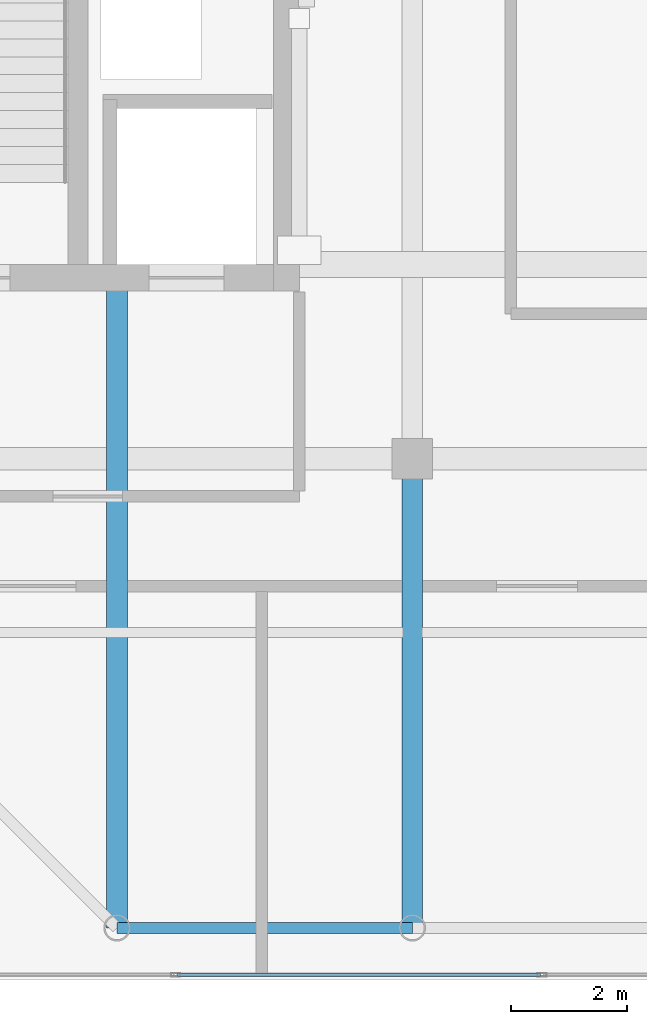
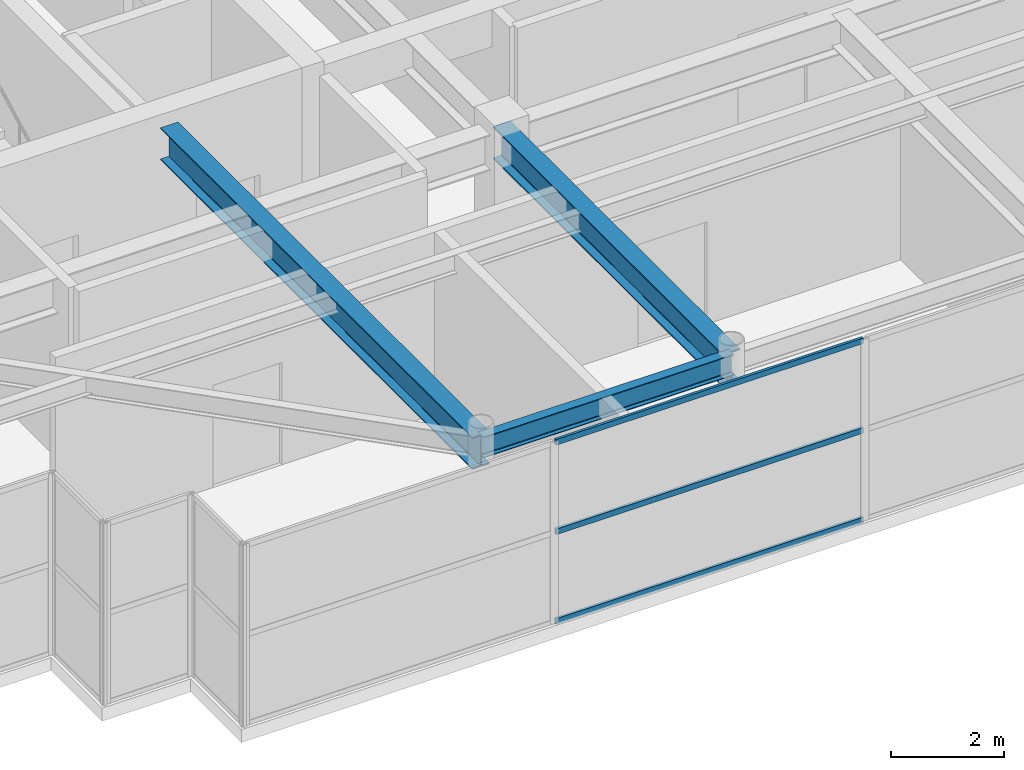
# One storey, part 4 of 32: 3 beams, 3 members, 1 element without a shape of its own.
"""IFC4 building model written with IfcOpenShell, lengths in metres."""

import ifcopenshell
import ifcopenshell.guid

model = None  # the IFC model being written
_history = None  # IfcOwnerHistory: only IFC2X3 demands one
_inside = {}  # id of a spatial element -> (the spatial element, [elements in it])
_under = {}  # id of a project, library or spatial element -> (it, [spatial elements below it])
_declared = {}  # id of a project -> (the project, [libraries it declares])
_typed = {}  # id of a type object -> (the type object, [elements of that type])
_made_of = {}  # id of a material, layer set ... -> (it, [elements and type objects made of it])


def new_model(schema):
    """Start an empty IFC model of exactly this schema.

    Asked for "IFC4X3", IfcOpenShell would pick the latest addendum, in which some entities
    have other attributes; the version numbers below select the first issue.
    IFC2X3 requires an IfcOwnerHistory on every rooted entity: one is made here for all.
    """
    global model, _history
    if schema == "IFC4X3":
        model = ifcopenshell.file(schema_version=(4, 3, 0, 0))
    else:
        model = ifcopenshell.file(schema=schema)
    _inside.clear()
    _under.clear()
    _declared.clear()
    _typed.clear()
    _made_of.clear()
    _history = None
    if model.schema == "IFC2X3":
        org = make("IfcOrganization", Name="unknown")
        user = make(
            "IfcPersonAndOrganization",
            ThePerson=make("IfcPerson", FamilyName="unknown"),
            TheOrganization=org,
        )
        app = make(
            "IfcApplication",
            ApplicationDeveloper=org,
            Version="unknown",
            ApplicationFullName="unknown",
            ApplicationIdentifier="unknown",
        )
        _history = make(
            "IfcOwnerHistory",
            OwningUser=user,
            OwningApplication=app,
            ChangeAction="ADDED",
            CreationDate=0,
        )
    return model


def make(cls, **values):
    """One entity of the class cls with the attributes given. An attribute that is None is left unset."""
    return model.create_entity(
        cls, **{name: value for name, value in values.items() if value is not None}
    )


def rooted(cls, **values):
    """An entity with a GlobalId (a new one), such as an element, a storey or a relation."""
    return make(cls, GlobalId=ifcopenshell.guid.new(), OwnerHistory=_history, **values)


def si_unit(unit_type, name, prefix=None):
    """IfcSIUnit, for example si_unit("LENGTHUNIT", "METRE", prefix="MILLI")."""
    return make("IfcSIUnit", UnitType=unit_type, Prefix=prefix, Name=name)


def assignment(units):
    """IfcUnitAssignment: the units of a project."""
    return None if units is None else make("IfcUnitAssignment", Units=units)


def point(xyz):
    """IfcCartesianPoint."""
    return None if xyz is None else make("IfcCartesianPoint", Coordinates=xyz)


def direction(xyz):
    """IfcDirection."""
    return None if xyz is None else make("IfcDirection", DirectionRatios=xyz)


def frame(location, z_axis=None, x_axis=None):
    """IfcAxis2Placement3D, a coordinate frame: its origin and axes. An axis left out is left unset."""
    return make(
        "IfcAxis2Placement3D",
        Location=point(location),
        Axis=direction(z_axis),
        RefDirection=direction(x_axis),
    )


def frame_2d(location, x_axis=None):
    """IfcAxis2Placement2D, a coordinate frame in the plane: its origin and x axis."""
    return make(
        "IfcAxis2Placement2D", Location=point(location), RefDirection=direction(x_axis)
    )


def origin():
    """The frame at (0, 0, 0) with its axes left unset."""
    return frame((0.0, 0.0, 0.0))


def origin_2d():
    """The frame at (0, 0) in the plane with its x axis left unset."""
    return frame_2d((0.0, 0.0))


def place(relative_to, where):
    """IfcLocalPlacement: puts the frame where relative to a parent placement (None: the world)."""
    return make(
        "IfcLocalPlacement", PlacementRelTo=relative_to, RelativePlacement=where
    )


def context(
    kind, dimensions, precision=None, world=None, true_north=None, identifier=None
):
    """IfcGeometricRepresentationContext, for example the 3D "Model" context."""
    return make(
        "IfcGeometricRepresentationContext",
        ContextIdentifier=identifier,
        ContextType=kind,
        CoordinateSpaceDimension=dimensions,
        Precision=precision,
        WorldCoordinateSystem=world,
        TrueNorth=true_north,
    )


def subcontext(parent, identifier, kind, view, scale=None):
    """IfcGeometricRepresentationSubContext, for example "Body" below "Model"."""
    return make(
        "IfcGeometricRepresentationSubContext",
        ContextIdentifier=identifier,
        ContextType=kind,
        ParentContext=parent,
        TargetScale=scale,
        TargetView=view,
    )


def project(units=None, contexts=None):
    """IfcProject with its units and contexts."""
    return rooted(
        "IfcProject",
        Name="project",
        RepresentationContexts=contexts,
        UnitsInContext=assignment(units),
    )


def spatial(cls, under=None, at=None, **own):
    """A site, building, storey or space (cls), placed at a placement, below another one or the project."""
    s = rooted(cls, ObjectPlacement=at, **own)
    if under is not None:
        _under.setdefault(under.id(), (under, []))[1].append(s)
    return s


def profile(cls, at=None, kind="AREA", **sizes):
    """A parametric profile (cls). Its sizes go by their IFC names, for example OverallWidth=200.0."""
    return make(cls, ProfileType=kind, Position=at, **sizes)


def hollow_rectangle(**sizes):
    """IfcRectangleHollowProfileDef."""
    return profile("IfcRectangleHollowProfileDef", **sizes)


def i_section(**sizes):
    """IfcIShapeProfileDef."""
    return profile("IfcIShapeProfileDef", **sizes)


def extrude(swept, where, along, depth):
    """IfcExtrudedAreaSolid: the profile swept, set in the frame where, extruded along a direction by depth."""
    return make(
        "IfcExtrudedAreaSolid",
        SweptArea=swept,
        Position=where,
        ExtrudedDirection=direction(along),
        Depth=depth,
    )


def shape(context_of_items, identifier, shape_type, items):
    """IfcShapeRepresentation: the items that make up one representation, for example the "Body"."""
    return make(
        "IfcShapeRepresentation",
        ContextOfItems=context_of_items,
        RepresentationIdentifier=identifier,
        RepresentationType=shape_type,
        Items=items,
    )


def source(mapping_origin, context_of_items, identifier, shape_type, items):
    """IfcRepresentationMap: a shape defined once, which mapped items show again and again."""
    return make(
        "IfcRepresentationMap",
        MappingOrigin=mapping_origin,
        MappedRepresentation=shape(context_of_items, identifier, shape_type, items),
    )


def transform(
    local_origin,
    x_axis=None,
    y_axis=None,
    z_axis=None,
    scale=None,
    scale2=None,
    scale3=None,
    uniform=True,
):
    """IfcCartesianTransformationOperator3D, or its non-uniform kind. x_axis, y_axis, z_axis: its Axis1, 2, 3."""
    if uniform:
        return make(
            "IfcCartesianTransformationOperator3D",
            Axis1=direction(x_axis),
            Axis2=direction(y_axis),
            LocalOrigin=point(local_origin),
            Scale=scale,
            Axis3=direction(z_axis),
        )
    return make(
        "IfcCartesianTransformationOperator3DnonUniform",
        Axis1=direction(x_axis),
        Axis2=direction(y_axis),
        LocalOrigin=point(local_origin),
        Scale=scale,
        Axis3=direction(z_axis),
        Scale2=scale2,
        Scale3=scale3,
    )


def mapped(mapping_source, mapping_target):
    """IfcMappedItem: shows the shape of a source again, moved by a transform."""
    return make(
        "IfcMappedItem", MappingSource=mapping_source, MappingTarget=mapping_target
    )


def material(Name=None, Category=None):
    """IfcMaterial."""
    return make("IfcMaterial", Name=Name, Category=Category)


def layer(
    of_material, thickness, ventilated=None, Name=None, Category=None, Priority=None
):
    """IfcMaterialLayer: one layer of a wall or slab, of a material (None: an air gap)."""
    return make(
        "IfcMaterialLayer",
        Material=of_material,
        LayerThickness=thickness,
        IsVentilated=ventilated,
        Name=Name,
        Category=Category,
        Priority=Priority,
    )


def layer_set(layers, Name=None):
    """IfcMaterialLayerSet."""
    return make("IfcMaterialLayerSet", MaterialLayers=layers, LayerSetName=Name)


def material_profile(
    of_material, cross_section, Name=None, Category=None, Priority=None
):
    """IfcMaterialProfile: a cross section and its material."""
    return make(
        "IfcMaterialProfile",
        Name=Name,
        Material=of_material,
        Profile=cross_section,
        Priority=Priority,
        Category=Category,
    )


def profile_set(profiles, Name=None, composite=None):
    """IfcMaterialProfileSet."""
    return make(
        "IfcMaterialProfileSet",
        Name=Name,
        MaterialProfiles=profiles,
        CompositeProfile=composite,
    )


def made_of(thing, what):
    """Note that an element or type object is made of a material, layer set ...; save() writes the relation."""
    if what is not None:
        _made_of.setdefault(what.id(), (what, []))[1].append(thing)
    return thing


def type_object(cls, material=None, **own):
    """A type object (cls), such as IfcWallType, which elements share."""
    return made_of(rooted(cls, **own), material)


def element(
    cls,
    number,
    at=None,
    inside=None,
    cuts=None,
    type_object=None,
    material=None,
    context=None,
    identifier="Body",
    shape_type=None,
    held_by="IfcProductDefinitionShape",
    body=None,
    shapes=None,
    **own,
):
    """One element of the class cls, such as IfcWall. Its Tag is "e" and its number.

    at: its placement. inside: the storey or other place that contains it. cuts: it is an
    opening in that element (IfcRelVoidsElement). A single representation is given by context,
    identifier, shape_type and body (its items); several are given by shapes. held_by: the class
    of the entity that holds the representations. save() writes the other relations.
    """
    e = rooted(cls, Tag="e%d" % number, ObjectPlacement=at, **own)
    if body is not None:
        shapes = [shape(context, identifier, shape_type, body)]
    if shapes is not None:
        e.Representation = make(held_by, Representations=shapes)
    if inside is not None:
        _inside.setdefault(inside.id(), (inside, []))[1].append(e)
    if cuts is not None:
        rooted(
            "IfcRelVoidsElement", RelatingBuildingElement=cuts, RelatedOpeningElement=e
        )
    if type_object is not None:
        _typed.setdefault(type_object.id(), (type_object, []))[1].append(e)
    return made_of(e, material)


def aggregate(whole, parts):
    """IfcRelAggregates: a whole, such as a stair, and the parts it consists of."""
    return rooted("IfcRelAggregates", RelatingObject=whole, RelatedObjects=parts)


def save(model, path):
    """Write the relations noted so far, then the file.

    IfcRelAggregates (storeys below a building ...), IfcRelContainedInSpatialStructure (elements
    in a storey), IfcRelDefinesByType, IfcRelAssociatesMaterial and IfcRelDeclares: one each for
    every whole, place, type object, material and project.
    """
    for whole, parts in _under.values():
        aggregate(whole, parts)
    for where, things in _inside.values():
        rooted(
            "IfcRelContainedInSpatialStructure",
            RelatedElements=things,
            RelatingStructure=where,
        )
    for kind, things in _typed.values():
        rooted("IfcRelDefinesByType", RelatedObjects=things, RelatingType=kind)
    for what, things in _made_of.values():
        rooted("IfcRelAssociatesMaterial", RelatedObjects=things, RelatingMaterial=what)
    for by, libraries in _declared.values():
        rooted("IfcRelDeclares", RelatingContext=by, RelatedDefinitions=libraries)
    model.write(path)


model = new_model("IFC4")

# Units and contexts
model_context = context("Model", 3, precision=1e-05, world=origin(), true_north=direction((0.0, 1.0)))
body_context = subcontext(model_context, "Body", "Model", "MODEL_VIEW")
ifc_project = project(units=[si_unit("LENGTHUNIT", "METRE"), si_unit("AREAUNIT", "SQUARE_METRE"), si_unit("VOLUMEUNIT", "CUBIC_METRE"), si_unit("PLANEANGLEUNIT", "RADIAN"), si_unit("MASSUNIT", "GRAM", prefix="KILO")], contexts=[model_context])

# Site, building, storey
site_placement = place(None, origin())
site = spatial("IfcSite", under=ifc_project, at=site_placement, CompositionType="ELEMENT")
building_placement = place(site_placement, origin())
building = spatial("IfcBuilding", under=site, at=building_placement, Name="Khoralis Quay Care Tower", CompositionType="ELEMENT")
storey_placement = place(building_placement, frame((0.0, 0.0, 310.5)))
storey = spatial("IfcBuildingStorey", under=building, at=storey_placement, Name="L81", CompositionType="ELEMENT", Elevation=310.5)

# Beams
ifc_material_1 = material(Name="Steel S355", Category="steel")
ifc_material_profile_1 = material_profile(ifc_material_1, i_section(OverallWidth=0.18994140625, OverallDepth=0.449951171875, WebThickness=0.009521484375, FlangeThickness=0.0146484375, FilletRadius=0.02099609375, at=origin_2d()), Name="Steel S355")
ifc_profile_set_1 = profile_set([ifc_material_profile_1], Name="Steel S355")
beam_type_1 = type_object("IfcBeamType", Name="BM-IPE450", PredefinedType="SPANDREL", material=ifc_profile_set_1)
shared_shape_1 = source(origin(), body_context, "Body", "SweptSolid", [
    extrude(i_section(OverallWidth=0.18994140625, OverallDepth=0.449951171875, WebThickness=0.009521484375, FlangeThickness=0.0146484375, FilletRadius=0.02099609375, at=origin_2d()), origin(), (0.0, 0.0, 1.0), 5.10009765625),
])
beam_1_placement = place(storey_placement, frame((12.0, 3.89990234375, 3.695068359375), z_axis=(1.0, 0.0, 0.0), x_axis=(0.0, 1.0, 0.0)))
element("IfcBeam", 1, at=beam_1_placement, inside=storey, type_object=beam_type_1, Name="BM-TSP-L81-01", PredefinedType="SPANDREL", context=body_context, shape_type="MappedRepresentation", body=[
    mapped(shared_shape_1, transform((0.0, 0.0, 0.0), scale=1.0)),
])
ifc_material_profile_2 = material_profile(ifc_material_1, i_section(OverallWidth=0.35498046875, OverallDepth=0.695068359375, WebThickness=0.015380859375, FlangeThickness=0.02490234375, FilletRadius=0.02001953125, at=origin_2d()), Name="Steel S355")
ifc_profile_set_2 = profile_set([ifc_material_profile_2], Name="Steel S355")
beam_type_2 = type_object("IfcBeamType", Name="BM-W690X217", PredefinedType="BEAM", material=ifc_profile_set_2)
shared_shape_2 = source(origin(), body_context, "Body", "SweptSolid", [
    extrude(i_section(OverallWidth=0.35498046875, OverallDepth=0.695068359375, WebThickness=0.015380859375, FlangeThickness=0.02490234375, FilletRadius=0.02001953125, at=origin_2d()), origin(), (0.0, 0.0, 1.0), 11.002197265625),
])
beam_2_placement = place(storey_placement, frame((12.0, 3.89990234375, 3.572509765625), z_axis=(0.0, 1.0, 0.0), x_axis=(-1.0, 0.0, 0.0)))
element("IfcBeam", 2, at=beam_2_placement, inside=storey, type_object=beam_type_2, Name="BM-TGYS-L81-120", PredefinedType="BEAM", context=body_context, shape_type="MappedRepresentation", body=[
    mapped(shared_shape_2, transform((0.0, 0.0, 0.0), scale=1.0)),
])
shared_shape_3 = source(origin(), body_context, "Body", "SweptSolid", [
    extrude(i_section(OverallWidth=0.35498046875, OverallDepth=0.695068359375, WebThickness=0.015380859375, FlangeThickness=0.02490234375, FilletRadius=0.02001953125, at=origin_2d()), origin(), (0.0, 0.0, 1.0), 8.10009765625),
])
beam_3_placement = place(storey_placement, frame((17.10009765625, 3.89990234375, 3.572509765625), z_axis=(0.0, 1.0, 0.0), x_axis=(-1.0, 0.0, 0.0)))
element("IfcBeam", 3, at=beam_3_placement, inside=storey, type_object=beam_type_2, Name="BM-TGYS-L81-171", PredefinedType="BEAM", context=body_context, shape_type="MappedRepresentation", body=[
    mapped(shared_shape_3, transform((0.0, 0.0, 0.0), scale=1.0)),
])

# Curtain wall, members
ifc_material_2 = material(Name="Pale anodised aluminium", Category="aluminium")
ifc_layer = layer(ifc_material_2, 0.199951171875)
ifc_layer_set = layer_set([ifc_layer], Name="Pale anodised aluminium")
curtain_wall_type = type_object("IfcCurtainWallType", Name="CW-SYS-LANTERN", PredefinedType="NOTDEFINED", material=ifc_layer_set)
curtain_wall_placement = place(storey_placement, origin())
curtain_wall = element("IfcCurtainWall", 4, at=curtain_wall_placement, inside=storey, type_object=curtain_wall_type, Name="L81 Unitised Curtain Wall CW-LN-L81-01", PredefinedType="NOTDEFINED")
ifc_material_profile_3 = material_profile(ifc_material_2, hollow_rectangle(XDim=0.054931640625, YDim=0.1201171875, WallThickness=0.00390625, at=origin_2d()), Name="Pale anodised aluminium")
ifc_profile_set_3 = profile_set([ifc_material_profile_3], Name="Pale anodised aluminium")
member_type = type_object("IfcMemberType", Name="CW-TRN-120", PredefinedType="USERDEFINED", material=ifc_profile_set_3)
shared_shape_4 = source(origin(), body_context, "Body", "SweptSolid", [
    extrude(hollow_rectangle(XDim=0.054931640625, YDim=0.1201171875, WallThickness=0.00390625, at=origin_2d()), origin(), (0.0, 0.0, 1.0), 6.26416015625),
])
member_1_placement = place(storey_placement, frame((13.0439453125, 3.090087890625, 0.030029296875), z_axis=(1.0, 0.0, 0.0), x_axis=(0.0, 1.0, 0.0)))
member_1 = element("IfcMember", 5, at=member_1_placement, type_object=member_type, Name="CW5 transom 2.1", ObjectType="TRANSOM", PredefinedType="USERDEFINED", context=body_context, shape_type="MappedRepresentation", body=[
    mapped(shared_shape_4, transform((0.0, 0.0, 0.0), scale=1.0)),
])
member_2_placement = place(storey_placement, frame((13.0439453125, 3.090087890625, 1.9599609375), z_axis=(1.0, 0.0, 0.0), x_axis=(0.0, 1.0, 0.0)))
member_2 = element("IfcMember", 6, at=member_2_placement, type_object=member_type, Name="CW5 transom 2.2", ObjectType="TRANSOM", PredefinedType="USERDEFINED", context=body_context, shape_type="MappedRepresentation", body=[
    mapped(shared_shape_4, transform((0.0, 0.0, 0.0), scale=1.0)),
])
member_3_placement = place(storey_placement, frame((13.0439453125, 3.090087890625, 3.889892578125), z_axis=(1.0, 0.0, 0.0), x_axis=(0.0, 1.0, 0.0)))
member_3 = element("IfcMember", 7, at=member_3_placement, type_object=member_type, Name="CW5 transom 2.3", ObjectType="TRANSOM", PredefinedType="USERDEFINED", context=body_context, shape_type="MappedRepresentation", body=[
    mapped(shared_shape_4, transform((0.0, 0.0, 0.0), scale=1.0)),
])
aggregate(curtain_wall, [member_1, member_2, member_3])

save(model, "model.ifc")
